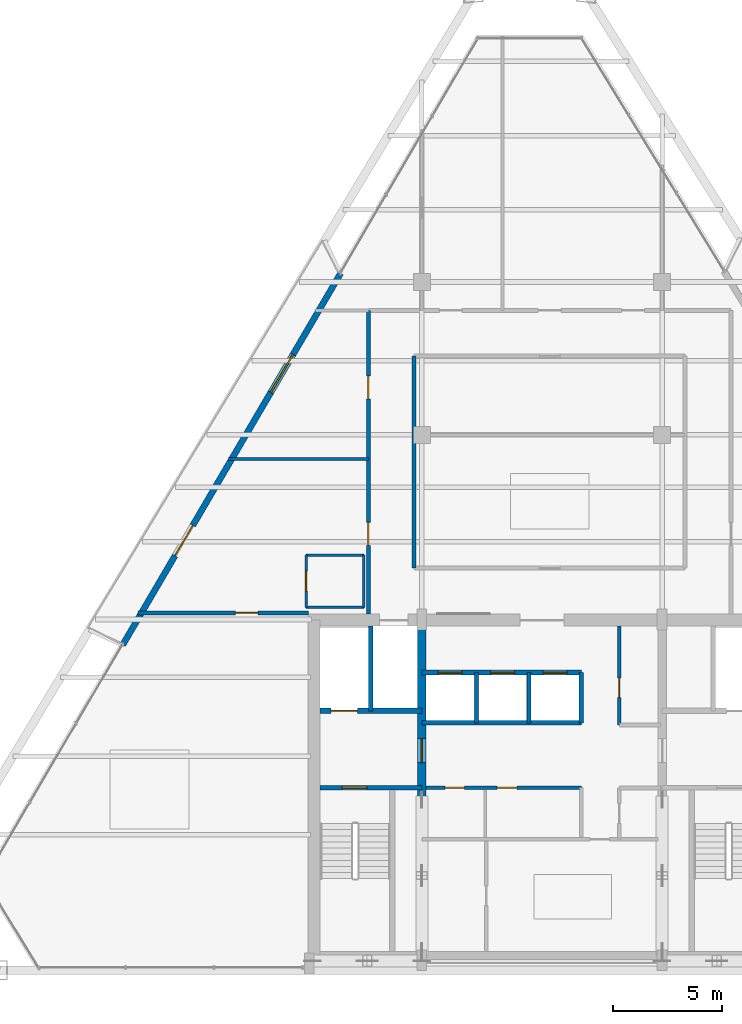
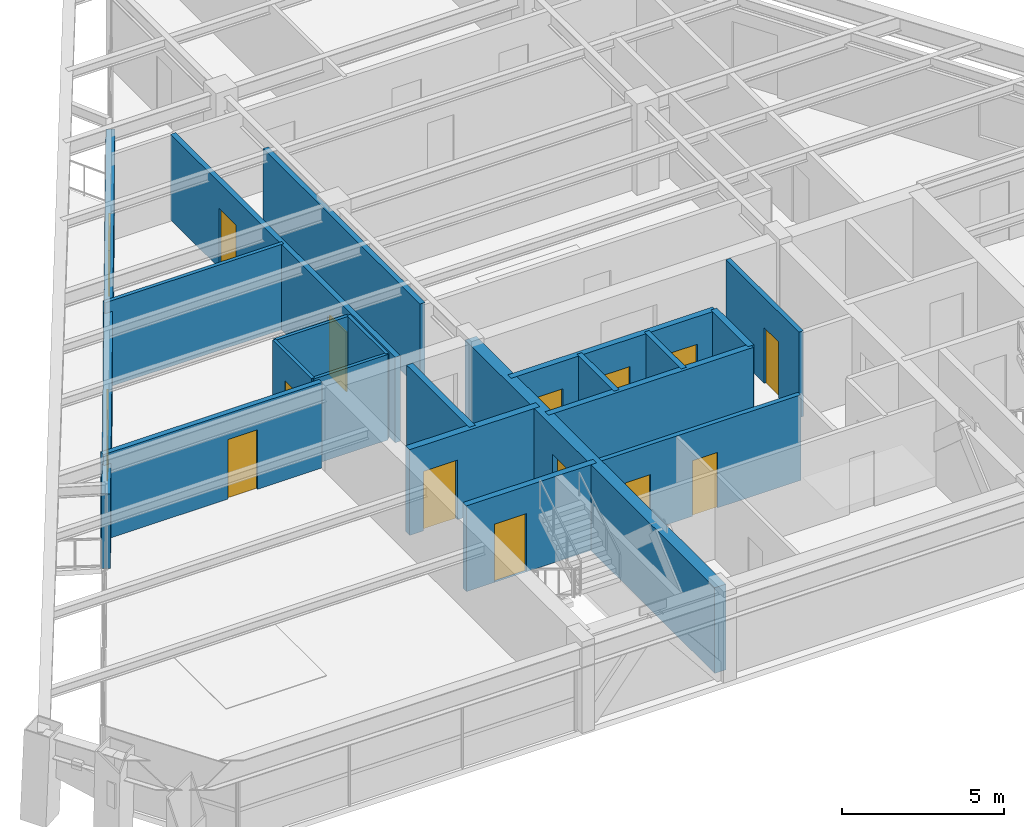
# One storey, part 9 of 13: 20 walls, 14 doors, 1 window, 15 openings.
"""IFC4 building model written with IfcOpenShell, lengths in metres."""

from ifc_helpers import new_model, si_unit, direction, frame, frame_2d, origin, place, context, subcontext, project, spatial, rectangle, extrude, source, transform, mapped, material, layer, layer_set, type_object, type_shapes, element, fill, save


model = new_model("IFC4")

# Units and contexts
model_context = context("Model", 3, precision=1e-05, world=origin(), true_north=direction((0.0, 1.0)))
body_context = subcontext(model_context, "Body", "Model", "MODEL_VIEW")
ifc_project = project(units=[si_unit("LENGTHUNIT", "METRE"), si_unit("AREAUNIT", "SQUARE_METRE"), si_unit("VOLUMEUNIT", "CUBIC_METRE"), si_unit("PLANEANGLEUNIT", "RADIAN"), si_unit("MASSUNIT", "GRAM", prefix="KILO")], contexts=[model_context])

# Site, building, storey
site_placement = place(None, origin())
site = spatial("IfcSite", under=ifc_project, at=site_placement, CompositionType="ELEMENT")
building_placement = place(site_placement, origin())
building = spatial("IfcBuilding", under=site, at=building_placement, Name="Varnakhor Terracotta Tower", CompositionType="ELEMENT")
storey_placement = place(building_placement, frame((0.0, 0.0, 247.60009765625)))
storey = spatial("IfcBuildingStorey", under=building, at=storey_placement, Name="L64", CompositionType="ELEMENT", Elevation=247.60009765625)

# Walls
ifc_material_1 = material(Name="Moisture-Resistant Tile-Backed Partition", Category="gypsum")
ifc_layer_1 = layer(ifc_material_1, 0.114990234375, Name="Moisture-Resistant Tile-Backed Partition")
ifc_layer_set_1 = layer_set([ifc_layer_1], Name="Moisture-Resistant Tile-Backed Partition")
wall_type_1 = type_object("IfcWallType", Name="WAL-BATH-115", PredefinedType="PARTITIONING", material=ifc_layer_set_1)
for number, where, z_axis, x_axis, name in (
    (1, (-10.800048828125, 16.60009765625, 0.0), (0.0, 0.0, 1.0), (1.0, 0.0, 0.0), "L64 En-Suite 1 Wall S"),
    (2, (-10.800048828125, 19.0, 0.0), (0.0, 0.0, 1.0), (1.0, 0.0, 0.0), "L64 En-Suite 1 Wall N"),
):
    element("IfcWall", number, at=place(storey_placement, frame(where, z_axis=z_axis, x_axis=x_axis)), inside=storey, type_object=wall_type_1, Name=name, PredefinedType="PARTITIONING", context=body_context, shape_type="SweptSolid", body=[
        extrude(rectangle(XDim=2.650146484375, YDim=0.114990234375, at=frame_2d((1.3251953125, 0.0))), origin(), (0.0, 0.0, 1.0), 3.23193359375),
    ])

# Wall, opening, door
wall_1_placement = place(storey_placement, frame((-10.800048828125, 16.60009765625, 0.0), z_axis=(0.0, 0.0, 1.0), x_axis=(0.0, 1.0, 0.0)))
wall_1 = element("IfcWall", 3, at=wall_1_placement, inside=storey, type_object=wall_type_1, Name="L64 En-Suite 1 Wall W", PredefinedType="PARTITIONING", context=body_context, shape_type="SweptSolid", body=[
    extrude(rectangle(XDim=2.39990234375, YDim=0.114990234375, at=frame_2d((1.199951171875, 0.0))), origin(), (0.0, 0.0, 1.0), 3.23193359375),
])
opening_1_placement = place(wall_1_placement, frame((0.75, 0.0, 0.0)))
opening_1 = element("IfcOpeningElement", 4, at=opening_1_placement, cuts=wall_1, Name="Opening DR-93", PredefinedType="OPENING", context=body_context, shape_type="SweptSolid", body=[
    extrude(rectangle(XDim=0.89990234375, YDim=2.14990234375, at=frame_2d((0.449951171875, 1.074951171875))), frame((0.0, 0.0673828125, 0.0), z_axis=(0.0, -1.0, 0.0), x_axis=(1.0, 0.0, 0.0)), (0.0, 0.0, 1.0), 0.135009765625),
])
ifc_material_2 = material(Name="Moisture-Resistant Accessible Bathroom Door", Category="wood")
door_type_1 = type_object("IfcDoorType", Name="DR-BATH-900X2150", OperationType="NOTDEFINED", PredefinedType="DOOR", material=ifc_material_2)
shared_shape_1 = source(origin(), body_context, "Body", "SweptSolid", [
    extrude(rectangle(XDim=0.89990234375, YDim=2.14990234375, at=frame_2d((0.449951171875, 1.074951171875))), frame((0.0, 0.02490234375, 0.0), z_axis=(0.0, -1.0, 0.0), x_axis=(1.0, 0.0, 0.0)), (0.0, 0.0, 1.0), 0.050048828125),
])
type_shapes(door_type_1, [shared_shape_1])
door_1_placement = place(opening_1_placement, origin())
door_1 = element("IfcDoor", 5, at=door_1_placement, inside=storey, type_object=door_type_1, Name="L64 En-Suite Bathroom 1 Door", OperationType="SINGLE_SWING_LEFT", OverallHeight=2.14990234375, OverallWidth=0.89990234375, PredefinedType="DOOR", context=body_context, shape_type="MappedRepresentation", body=[
    mapped(shared_shape_1, transform((0.0, 0.0, 0.0), scale=1.0)),
])
fill(opening_1, door_1)

# Wall
wall_2_placement = place(storey_placement, frame((-8.14990234375, 16.60009765625, 0.0), z_axis=(0.0, 0.0, 1.0), x_axis=(0.0, 1.0, 0.0)))
element("IfcWall", 6, at=wall_2_placement, inside=storey, type_object=wall_type_1, Name="L64 En-Suite 1 Wall E", PredefinedType="PARTITIONING", context=body_context, shape_type="SweptSolid", body=[
    extrude(rectangle(XDim=2.39990234375, YDim=0.114990234375, at=frame_2d((1.199951171875, 0.0))), origin(), (0.0, 0.0, 1.0), 3.23193359375),
])

# Wall, opening, door
ifc_material_3 = material(Name="Concrete C50/60", Category="concrete")
ifc_layer_2 = layer(ifc_material_3, 0.39990234375, Name="Concrete C50/60")
ifc_layer_set_2 = layer_set([ifc_layer_2], Name="Concrete C50/60")
wall_type_2 = type_object("IfcWallType", Name="WAL-CORE-WEB-400", PredefinedType="SHEAR", material=ifc_layer_set_2)
wall_3_placement = place(storey_placement, frame((-5.5, 0.574951171875, 0.0), z_axis=(0.0, 0.0, 1.0), x_axis=(0.0, 1.0, 0.0)))
wall_3 = element("IfcWall", 7, at=wall_3_placement, inside=storey, type_object=wall_type_2, Name="L64 West Core Web Shear Wall", PredefinedType="SHEAR", context=body_context, shape_type="SweptSolid", body=[
    extrude(rectangle(XDim=15.449951171875, YDim=0.39990234375, at=frame_2d((7.72509765625, 0.0))), origin(), (0.0, 0.0, 1.0), 3.239990234375),
])
opening_2_placement = place(wall_3_placement, frame((8.925048828125, 0.0, 0.0)))
opening_2 = element("IfcOpeningElement", 8, at=opening_2_placement, cuts=wall_3, Name="Opening DR-25", PredefinedType="OPENING", context=body_context, shape_type="SweptSolid", body=[
    extrude(rectangle(XDim=1.10009765625, YDim=2.199951171875, at=frame_2d((0.550048828125, 1.10009765625))), frame((0.0, 0.2099609375, 0.0), z_axis=(0.0, -1.0, 0.0), x_axis=(1.0, 0.0, 0.0)), (0.0, 0.0, 1.0), 0.419921875),
])
ifc_material_4 = material(Name="Firefighting Lobby Self-Closing Fire Door", Category="steel")
door_type_2 = type_object("IfcDoorType", Name="DR-FFL-1100X2200", OperationType="NOTDEFINED", PredefinedType="DOOR", material=ifc_material_4)
shared_shape_2 = source(origin(), body_context, "Body", "SweptSolid", [
    extrude(rectangle(XDim=1.10009765625, YDim=2.199951171875, at=frame_2d((0.550048828125, 1.10009765625))), frame((0.0, 0.02490234375, 0.0), z_axis=(0.0, -1.0, 0.0), x_axis=(1.0, 0.0, 0.0)), (0.0, 0.0, 1.0), 0.050048828125),
])
type_shapes(door_type_2, [shared_shape_2])
door_2_placement = place(opening_2_placement, origin())
door_2 = element("IfcDoor", 9, at=door_2_placement, inside=storey, type_object=door_type_2, Name="L64 West Firefighting Lobby Door", OperationType="SINGLE_SWING_RIGHT", OverallHeight=2.199951171875, OverallWidth=1.10009765625, PredefinedType="DOOR", context=body_context, shape_type="MappedRepresentation", body=[
    mapped(shared_shape_2, transform((0.0, 0.0, 0.0), scale=1.0)),
])
fill(opening_2, door_2)

# Wall
ifc_material_5 = material(Name="Fire-Rated Gypsum Stud Partition", Category="gypsum")
ifc_layer_3 = layer(ifc_material_5, 0.18505859375, Name="Fire-Rated Gypsum Stud Partition")
ifc_layer_set_3 = layer_set([ifc_layer_3], Name="Fire-Rated Gypsum Stud Partition")
wall_type_3 = type_object("IfcWallType", Name="WAL-CORR-185", PredefinedType="PARTITIONING", material=ifc_layer_set_3)
wall_4_placement = place(storey_placement, frame((-5.85009765625, 18.39990234375, 0.0), z_axis=(0.0, 0.0, 1.0), x_axis=(0.0, 1.0, 0.0)))
element("IfcWall", 10, at=wall_4_placement, inside=storey, type_object=wall_type_3, Name="L64 Ring Inner West Wall", PredefinedType="PARTITIONING", context=body_context, shape_type="SweptSolid", body=[
    extrude(rectangle(XDim=9.7001953125, YDim=0.18505859375, at=frame_2d((4.85009765625, 0.0))), origin(), (0.0, 0.0, 1.0), 3.23193359375),
])

# Wall, openings, doors
wall_5_placement = place(storey_placement, frame((-7.949951171875, 16.300048828125, 0.0), z_axis=(0.0, 0.0, 1.0), x_axis=(0.0, 1.0, 0.0)))
wall_5 = element("IfcWall", 11, at=wall_5_placement, inside=storey, type_object=wall_type_3, Name="L64 Hotel West Corridor Wall", PredefinedType="PARTITIONING", context=body_context, shape_type="SweptSolid", body=[
    extrude(rectangle(XDim=13.89990234375, YDim=0.18505859375, at=frame_2d((6.949951171875, 0.0))), origin(), (0.0, 0.0, 1.0), 3.23193359375),
])
opening_3_placement = place(wall_5_placement, frame((3.143798828125, 0.0, 0.0)))
opening_3 = element("IfcOpeningElement", 12, at=opening_3_placement, cuts=wall_5, Name="Opening DR-95", PredefinedType="OPENING", context=body_context, shape_type="SweptSolid", body=[
    extrude(rectangle(XDim=1.050048828125, YDim=2.25, at=frame_2d((0.52490234375, 1.125))), frame((0.0, 0.1025390625, 0.0), z_axis=(0.0, -1.0, 0.0), x_axis=(1.0, 0.0, 0.0)), (0.0, 0.0, 1.0), 0.205078125),
])
opening_4_placement = place(wall_5_placement, frame((9.848876953125, 0.0, 0.0)))
opening_4 = element("IfcOpeningElement", 13, at=opening_4_placement, cuts=wall_5, Name="Opening DR-95", PredefinedType="OPENING", context=body_context, shape_type="SweptSolid", body=[
    extrude(rectangle(XDim=1.050048828125, YDim=2.25, at=frame_2d((0.52490234375, 1.125))), frame((0.0, 0.1025390625, 0.0), z_axis=(0.0, -1.0, 0.0), x_axis=(1.0, 0.0, 0.0)), (0.0, 0.0, 1.0), 0.205078125),
])
ifc_material_6 = material(Name="Solid-Core Timber Tenant/Hotel Entrance Door", Category="wood")
door_type_3 = type_object("IfcDoorType", Name="DR-SUITE-1050X2250", OperationType="NOTDEFINED", PredefinedType="DOOR", material=ifc_material_6)
shared_shape_3 = source(origin(), body_context, "Body", "SweptSolid", [
    extrude(rectangle(XDim=1.050048828125, YDim=2.25, at=frame_2d((0.52490234375, 1.125))), frame((0.0, 0.02490234375, 0.0), z_axis=(0.0, -1.0, 0.0), x_axis=(1.0, 0.0, 0.0)), (0.0, 0.0, 1.0), 0.050048828125),
])
type_shapes(door_type_3, [shared_shape_3])
door_3_placement = place(opening_3_placement, origin())
door_3 = element("IfcDoor", 14, at=door_3_placement, inside=storey, type_object=door_type_3, Name="L64 West Room 1 Entry Door", OperationType="SINGLE_SWING_RIGHT", OverallHeight=2.25, OverallWidth=1.050048828125, PredefinedType="DOOR", context=body_context, shape_type="MappedRepresentation", body=[
    mapped(shared_shape_3, transform((0.0, 0.0, 0.0), scale=1.0)),
])
fill(opening_3, door_3)
door_4_placement = place(opening_4_placement, origin())
door_4 = element("IfcDoor", 15, at=door_4_placement, inside=storey, type_object=door_type_3, Name="L64 West Room 2 Entry Door", OperationType="SINGLE_SWING_RIGHT", OverallHeight=2.25, OverallWidth=1.050048828125, PredefinedType="DOOR", context=body_context, shape_type="MappedRepresentation", body=[
    mapped(shared_shape_3, transform((0.0, 0.0, 0.0), scale=1.0)),
])
fill(opening_4, door_4)

# Wall, opening, door
wall_6_placement = place(storey_placement, frame((-18.481689453125, 16.35009765625, 0.0), z_axis=(0.0, 0.0, 1.0), x_axis=(1.0, 0.0, 0.0)))
wall_6 = element("IfcWall", 16, at=wall_6_placement, inside=storey, type_object=wall_type_3, Name="L64 South West Guest Entry Wall", PredefinedType="PARTITIONING", context=body_context, shape_type="SweptSolid", body=[
    extrude(rectangle(XDim=7.8017578125, YDim=0.18505859375, at=frame_2d((3.90087890625, 0.0))), origin(), (0.0, 0.0, 1.0), 3.23193359375),
])
opening_5_placement = place(wall_6_placement, frame((4.444091796875, 0.0, 0.0)))
opening_5 = element("IfcOpeningElement", 17, at=opening_5_placement, cuts=wall_6, Name="Opening DR-95", PredefinedType="OPENING", context=body_context, shape_type="SweptSolid", body=[
    extrude(rectangle(XDim=1.050048828125, YDim=2.25, at=frame_2d((0.52490234375, 1.125))), frame((0.0, 0.1025390625, 0.0), z_axis=(0.0, -1.0, 0.0), x_axis=(1.0, 0.0, 0.0)), (0.0, 0.0, 1.0), 0.205078125),
])
door_5_placement = place(opening_5_placement, origin())
door_5 = element("IfcDoor", 18, at=door_5_placement, inside=storey, type_object=door_type_3, Name="L64 SW Suite Entry Door", OperationType="SINGLE_SWING_LEFT", OverallHeight=2.25, OverallWidth=1.050048828125, PredefinedType="DOOR", context=body_context, shape_type="MappedRepresentation", body=[
    mapped(shared_shape_3, transform((0.0, 0.0, 0.0), scale=1.0)),
])
fill(opening_5, door_5)

# Wall, openings, door, window
ifc_material_7 = material(Name="Extruded Architectural Terracotta Assembly", Category="masonry")
ifc_layer_4 = layer(ifc_material_7, 0.280029296875, Name="Extruded Architectural Terracotta Assembly")
ifc_layer_set_4 = layer_set([ifc_layer_4], Name="Extruded Architectural Terracotta Assembly")
wall_type_4 = type_object("IfcWallType", Name="WAL-EXT-TERRACOTTA-280", PredefinedType="SOLIDWALL", material=ifc_layer_set_4)
wall_7_placement = place(storey_placement, frame((-19.184326171875, 14.89501953125, 0.0), z_axis=(0.0, 0.0, 1.0), x_axis=(0.505884551296, 0.862601194504, 0.0)))
wall_7 = element("IfcWall", 19, at=wall_7_placement, inside=storey, type_object=wall_type_4, Name="L64 W Loggia Insulated Terracotta Wall", PredefinedType="SOLIDWALL", context=body_context, shape_type="SweptSolid", body=[
    extrude(rectangle(XDim=19.70068359375, YDim=0.280029296875, at=frame_2d((9.850341796875, 0.0))), origin(), (0.0, 0.0, 1.0), 2.81982421875),
])
opening_6_placement = place(wall_7_placement, frame((4.728271484375, 0.0, 0.0)))
opening_6 = element("IfcOpeningElement", 20, at=opening_6_placement, cuts=wall_7, Name="Opening DR-62", PredefinedType="OPENING", context=body_context, shape_type="SweptSolid", body=[
    extrude(rectangle(XDim=1.60009765625, YDim=2.35009765625, at=frame_2d((0.800048828125, 1.175048828125))), frame((0.0, 0.14990234375, 0.0), z_axis=(0.0, -1.0, 0.0), x_axis=(1.0, 0.0, 0.0)), (0.0, 0.0, 1.0), 0.300048828125),
])
opening_7_placement = place(wall_7_placement, frame((13.396484375, 0.0, 0.89990234375)))
opening_7 = element("IfcOpeningElement", 21, at=opening_7_placement, cuts=wall_7, Name="Opening WN-63", PredefinedType="OPENING", context=body_context, shape_type="SweptSolid", body=[
    extrude(rectangle(XDim=2.0, YDim=1.75, at=frame_2d((1.0, 0.875))), frame((0.0, 0.14990234375, 0.0), z_axis=(0.0, -1.0, 0.0), x_axis=(1.0, 0.0, 0.0)), (0.0, 0.0, 1.0), 0.300048828125),
])
ifc_material_8 = material(Name="Thermally Broken Sliding Glass Loggia Door", Category="glass")
door_type_4 = type_object("IfcDoorType", Name="DR-EXT-LOGGIA-1600X2350", OperationType="NOTDEFINED", PredefinedType="DOOR", material=ifc_material_8)
shared_shape_4 = source(origin(), body_context, "Body", "SweptSolid", [
    extrude(rectangle(XDim=1.60009765625, YDim=2.35009765625, at=frame_2d((0.800048828125, 1.175048828125))), frame((0.0, 0.02490234375, 0.0), z_axis=(0.0, -1.0, 0.0), x_axis=(1.0, 0.0, 0.0)), (0.0, 0.0, 1.0), 0.050048828125),
])
type_shapes(door_type_4, [shared_shape_4])
door_6_placement = place(opening_6_placement, origin())
door_6 = element("IfcDoor", 22, at=door_6_placement, inside=storey, type_object=door_type_4, Name="L64 W Recessed Loggia Sliding Door", OperationType="SLIDING_TO_LEFT", OverallHeight=2.35009765625, OverallWidth=1.60009765625, PredefinedType="DOOR", context=body_context, shape_type="MappedRepresentation", body=[
    mapped(shared_shape_4, transform((0.0, 0.0, 0.0), scale=1.0)),
])
fill(opening_6, door_6)
ifc_material_9 = material(Name="Solar-Control Low-E Insulated Glass Unit", Category="glass")
window_type = type_object("IfcWindowType", Name="WIN-HTL-2000X1950", PartitioningType="SINGLE_PANEL", PredefinedType="WINDOW", material=ifc_material_9)
shared_shape_5 = source(origin(), body_context, "Body", "SweptSolid", [
    extrude(rectangle(XDim=2.0, YDim=1.75, at=frame_2d((1.0, 0.875))), frame((0.0, 0.030029296875, 0.0), z_axis=(0.0, -1.0, 0.0), x_axis=(1.0, 0.0, 0.0)), (0.0, 0.0, 1.0), 0.06005859375),
])
type_shapes(window_type, [shared_shape_5])
window_placement = place(opening_7_placement, origin())
window = element("IfcWindow", 23, at=window_placement, inside=storey, type_object=window_type, Name="L64 W Facet Punched Window", OverallHeight=1.75, OverallWidth=2.0, PartitioningType="SINGLE_PANEL", PredefinedType="WINDOW", context=body_context, shape_type="MappedRepresentation", body=[
    mapped(shared_shape_5, transform((0.0, 0.0, 0.0), scale=1.0)),
])
fill(opening_7, window)

# Wall, opening, door
ifc_material_10 = material(Name="Concrete C40/50", Category="concrete")
ifc_layer_5 = layer(ifc_material_10, 0.219970703125, Name="Concrete C40/50")
ifc_layer_set_5 = layer_set([ifc_layer_5], Name="Concrete C40/50")
wall_type_5 = type_object("IfcWallType", Name="WAL-FFLOBBY-220", PredefinedType="SOLIDWALL", material=ifc_layer_set_5)
wall_8_placement = place(storey_placement, frame((-5.5, 8.35009765625, 0.0), z_axis=(0.0, 0.0, 1.0), x_axis=(-1.0, 0.0, 0.0)))
wall_8 = element("IfcWall", 24, at=wall_8_placement, inside=storey, type_object=wall_type_5, Name="L64 West Firefighting Lobby Stair Wall", PredefinedType="SOLIDWALL", context=body_context, shape_type="SweptSolid", body=[
    extrude(rectangle(XDim=4.64990234375, YDim=0.219970703125, at=frame_2d((2.324951171875, 0.0))), origin(), (0.0, 0.0, 1.0), 3.239990234375),
])
opening_8_placement = place(wall_8_placement, frame((2.5, 0.0, 0.0)))
opening_8 = element("IfcOpeningElement", 25, at=opening_8_placement, cuts=wall_8, Name="Opening DR-34", PredefinedType="OPENING", context=body_context, shape_type="SweptSolid", body=[
    extrude(rectangle(XDim=1.14990234375, YDim=2.199951171875, at=frame_2d((0.574951171875, 1.10009765625))), frame((0.0, 0.1201171875, 0.0), z_axis=(0.0, -1.0, 0.0), x_axis=(1.0, 0.0, 0.0)), (0.0, 0.0, 1.0), 0.239990234375),
])
ifc_material_11 = material(Name="Self-Closing Smoke-Sealed Steel Fire Door", Category="steel")
door_type_5 = type_object("IfcDoorType", Name="DR-STAIR-1150X2200", OperationType="NOTDEFINED", PredefinedType="DOOR", material=ifc_material_11)
shared_shape_6 = source(origin(), body_context, "Body", "SweptSolid", [
    extrude(rectangle(XDim=1.14990234375, YDim=2.199951171875, at=frame_2d((0.574951171875, 1.10009765625))), frame((0.0, 0.02490234375, 0.0), z_axis=(0.0, -1.0, 0.0), x_axis=(1.0, 0.0, 0.0)), (0.0, 0.0, 1.0), 0.050048828125),
])
type_shapes(door_type_5, [shared_shape_6])
door_7_placement = place(opening_8_placement, origin())
door_7 = element("IfcDoor", 26, at=door_7_placement, inside=storey, type_object=door_type_5, Name="L64 Exit Stair ST-1 Fire Door", OperationType="SINGLE_SWING_LEFT", OverallHeight=2.199951171875, OverallWidth=1.14990234375, PredefinedType="DOOR", context=body_context, shape_type="MappedRepresentation", body=[
    mapped(shared_shape_6, transform((0.0, 0.0, 0.0), scale=1.0)),
])
fill(opening_8, door_7)

# Walls
ifc_material_12 = material(Name="Acoustic Hotel Room Partition", Category="gypsum")
ifc_layer_6 = layer(ifc_material_12, 0.1298828125, Name="Acoustic Hotel Room Partition")
ifc_layer_set_6 = layer_set([ifc_layer_6], Name="Acoustic Hotel Room Partition")
wall_type_6 = type_object("IfcWallType", Name="WAL-PART-130", PredefinedType="PARTITIONING", material=ifc_layer_set_6)
wall_9_placement = place(storey_placement, frame((-14.34716796875, 23.39990234375, 0.0), z_axis=(0.0, 0.0, 1.0), x_axis=(1.0, 0.0, 0.0)))
element("IfcWall", 27, at=wall_9_placement, inside=storey, type_object=wall_type_6, Name="L64 West Key Cut 1", PredefinedType="PARTITIONING", context=body_context, shape_type="SweptSolid", body=[
    extrude(rectangle(XDim=6.397216796875, YDim=0.1298828125, at=frame_2d((3.19873046875, 0.0))), origin(), (0.0, 0.0, 1.0), 3.23193359375),
])
ifc_layer_7 = layer(ifc_material_10, 0.179931640625, Name="Concrete C40/50")
ifc_layer_set_7 = layer_set([ifc_layer_7], Name="Concrete C40/50")
wall_type_7 = type_object("IfcWallType", Name="WAL-SHAFT-180", PredefinedType="SOLIDWALL", material=ifc_layer_set_7)
for number, where, z_axis, x_axis, name in (
    (28, (-3.0, 11.320068359375, 0.0), (0.0, 0.0, 1.0), (0.0, 1.0, 0.0), "L64 PL-3A Divider"),
    (29, (-0.60009765625, 11.320068359375, 0.0), (0.0, 0.0, 1.0), (0.0, 1.0, 0.0), "L64 PL-3B Divider"),
):
    element("IfcWall", number, at=place(storey_placement, frame(where, z_axis=z_axis, x_axis=x_axis)), inside=storey, type_object=wall_type_7, Name=name, PredefinedType="SOLIDWALL", context=body_context, shape_type="SweptSolid", body=[
        extrude(rectangle(XDim=2.300048828125, YDim=0.179931640625, at=frame_2d((1.14990234375, 0.0))), origin(), (0.0, 0.0, 1.0), 3.239990234375),
    ])
ifc_layer_8 = layer(ifc_material_10, 0.219970703125, Name="Concrete C40/50")
ifc_layer_set_8 = layer_set([ifc_layer_8], Name="Concrete C40/50")
wall_type_8 = type_object("IfcWallType", Name="WAL-SHAFT-220", PredefinedType="SOLIDWALL", material=ifc_layer_set_8)
wall_10_placement = place(storey_placement, frame((-7.840087890625, 11.8701171875, 0.0), z_axis=(0.0, 0.0, 1.0), x_axis=(0.0, 1.0, 0.0)))
element("IfcWall", 30, at=wall_10_placement, inside=storey, type_object=wall_type_8, Name="L64 Lift FFL-1 and SVL-1 Divider Wall", PredefinedType="SOLIDWALL", context=body_context, shape_type="SweptSolid", body=[
    extrude(rectangle(XDim=3.8798828125, YDim=0.219970703125, at=frame_2d((1.93994140625, 0.0))), origin(), (0.0, 0.0, 1.0), 3.239990234375),
])
wall_11_placement = place(storey_placement, frame((-5.5, 11.320068359375, 0.0), z_axis=(0.0, 0.0, 1.0), x_axis=(1.0, 0.0, 0.0)))
element("IfcWall", 31, at=wall_11_placement, inside=storey, type_object=wall_type_8, Name="L64 Bank 3 South Shaft Wall", PredefinedType="SOLIDWALL", context=body_context, shape_type="SweptSolid", body=[
    extrude(rectangle(XDim=7.320068359375, YDim=0.219970703125, at=frame_2d((3.66015625, 0.0))), origin(), (0.0, 0.0, 1.0), 3.239990234375),
])

# Wall, openings, doors
wall_12_placement = place(storey_placement, frame((-5.5, 13.6201171875, 0.0), z_axis=(0.0, 0.0, 1.0), x_axis=(1.0, 0.0, 0.0)))
wall_12 = element("IfcWall", 32, at=wall_12_placement, inside=storey, type_object=wall_type_8, Name="L64 Bank 3 North Shaft Wall", PredefinedType="SOLIDWALL", context=body_context, shape_type="SweptSolid", body=[
    extrude(rectangle(XDim=7.320068359375, YDim=0.219970703125, at=frame_2d((3.66015625, 0.0))), origin(), (0.0, 0.0, 1.0), 3.239990234375),
])
opening_9_placement = place(wall_12_placement, frame((0.75, 0.0, 0.0)))
opening_9 = element("IfcOpeningElement", 33, at=opening_9_placement, cuts=wall_12, Name="Opening LD-01", PredefinedType="OPENING", context=body_context, shape_type="SweptSolid", body=[
    extrude(rectangle(XDim=1.10009765625, YDim=2.199951171875, at=frame_2d((0.550048828125, 1.10009765625))), frame((0.0, 0.1201171875, 0.0), z_axis=(0.0, -1.0, 0.0), x_axis=(1.0, 0.0, 0.0)), (0.0, 0.0, 1.0), 0.239990234375),
])
opening_10_placement = place(wall_12_placement, frame((3.14990234375, 0.0, 0.0)))
opening_10 = element("IfcOpeningElement", 34, at=opening_10_placement, cuts=wall_12, Name="Opening LD-01", PredefinedType="OPENING", context=body_context, shape_type="SweptSolid", body=[
    extrude(rectangle(XDim=1.10009765625, YDim=2.199951171875, at=frame_2d((0.550048828125, 1.10009765625))), frame((0.0, 0.1201171875, 0.0), z_axis=(0.0, -1.0, 0.0), x_axis=(1.0, 0.0, 0.0)), (0.0, 0.0, 1.0), 0.239990234375),
])
opening_11_placement = place(wall_12_placement, frame((5.550048828125, 0.0, 0.0)))
opening_11 = element("IfcOpeningElement", 35, at=opening_11_placement, cuts=wall_12, Name="Opening LD-01", PredefinedType="OPENING", context=body_context, shape_type="SweptSolid", body=[
    extrude(rectangle(XDim=1.10009765625, YDim=2.199951171875, at=frame_2d((0.550048828125, 1.10009765625))), frame((0.0, 0.1201171875, 0.0), z_axis=(0.0, -1.0, 0.0), x_axis=(1.0, 0.0, 0.0)), (0.0, 0.0, 1.0), 0.239990234375),
])
ifc_material_13 = material(Name="Brushed Stainless Steel Sliding Lift Landing Door", Category="steel")
door_type_6 = type_object("IfcDoorType", Name="LD-PASS-1100X2200", OperationType="NOTDEFINED", PredefinedType="DOOR", material=ifc_material_13)
shared_shape_7 = source(origin(), body_context, "Body", "SweptSolid", [
    extrude(rectangle(XDim=1.10009765625, YDim=2.199951171875, at=frame_2d((0.550048828125, 1.10009765625))), frame((0.0, 0.02490234375, 0.0), z_axis=(0.0, -1.0, 0.0), x_axis=(1.0, 0.0, 0.0)), (0.0, 0.0, 1.0), 0.050048828125),
])
type_shapes(door_type_6, [shared_shape_7])
door_8_placement = place(opening_9_placement, origin())
door_8 = element("IfcDoor", 36, at=door_8_placement, inside=storey, type_object=door_type_6, Name="L64 Passenger Lift PL-3A Landing Door", OperationType="SLIDING_TO_RIGHT", OverallHeight=2.199951171875, OverallWidth=1.10009765625, PredefinedType="DOOR", context=body_context, shape_type="MappedRepresentation", body=[
    mapped(shared_shape_7, transform((0.0, 0.0, 0.0), scale=1.0)),
])
fill(opening_9, door_8)
door_9_placement = place(opening_10_placement, origin())
door_9 = element("IfcDoor", 37, at=door_9_placement, inside=storey, type_object=door_type_6, Name="L64 Passenger Lift PL-3B Landing Door", OperationType="SLIDING_TO_RIGHT", OverallHeight=2.199951171875, OverallWidth=1.10009765625, PredefinedType="DOOR", context=body_context, shape_type="MappedRepresentation", body=[
    mapped(shared_shape_7, transform((0.0, 0.0, 0.0), scale=1.0)),
])
fill(opening_10, door_9)
door_10_placement = place(opening_11_placement, origin())
door_10 = element("IfcDoor", 38, at=door_10_placement, inside=storey, type_object=door_type_6, Name="L64 Passenger Lift PL-3C Landing Door", OperationType="SLIDING_TO_RIGHT", OverallHeight=2.199951171875, OverallWidth=1.10009765625, PredefinedType="DOOR", context=body_context, shape_type="MappedRepresentation", body=[
    mapped(shared_shape_7, transform((0.0, 0.0, 0.0), scale=1.0)),
])
fill(opening_11, door_10)

# Wall
wall_13_placement = place(storey_placement, frame((1.800048828125, 11.320068359375, 0.0), z_axis=(0.0, 0.0, 1.0), x_axis=(0.0, 1.0, 0.0)))
element("IfcWall", 39, at=wall_13_placement, inside=storey, type_object=wall_type_8, Name="L64 Bank 3 East Shaft Wall", PredefinedType="SOLIDWALL", context=body_context, shape_type="SweptSolid", body=[
    extrude(rectangle(XDim=2.300048828125, YDim=0.219970703125, at=frame_2d((1.14990234375, 0.0))), origin(), (0.0, 0.0, 1.0), 3.239990234375),
])

# Wall, opening, door
ifc_layer_9 = layer(ifc_material_10, 0.25, Name="Concrete C40/50")
ifc_layer_set_9 = layer_set([ifc_layer_9], Name="Concrete C40/50")
wall_type_9 = type_object("IfcWallType", Name="WAL-SHAFT-250", PredefinedType="SOLIDWALL", material=ifc_layer_set_9)
wall_14_placement = place(storey_placement, frame((-5.5, 11.8701171875, 0.0), z_axis=(0.0, 0.0, 1.0), x_axis=(-1.0, 0.0, 0.0)))
wall_14 = element("IfcWall", 40, at=wall_14_placement, inside=storey, type_object=wall_type_9, Name="L64 Lift FFL-1 Shaft Front Wall", PredefinedType="SOLIDWALL", context=body_context, shape_type="SweptSolid", body=[
    extrude(rectangle(XDim=4.64990234375, YDim=0.25, at=frame_2d((2.324951171875, 0.0))), origin(), (0.0, 0.0, 1.0), 3.239990234375),
])
opening_12_placement = place(wall_14_placement, frame((2.949951171875, 0.0, 0.0)))
opening_12 = element("IfcOpeningElement", 41, at=opening_12_placement, cuts=wall_14, Name="Opening LD-02", PredefinedType="OPENING", context=body_context, shape_type="SweptSolid", body=[
    extrude(rectangle(XDim=1.199951171875, YDim=2.25, at=frame_2d((0.60009765625, 1.125))), frame((0.0, 0.135009765625, 0.0), z_axis=(0.0, -1.0, 0.0), x_axis=(1.0, 0.0, 0.0)), (0.0, 0.0, 1.0), 0.27001953125),
])
ifc_material_14 = material(Name="Firefighting Stretcher Sliding Lift Landing Door", Category="steel")
door_type_7 = type_object("IfcDoorType", Name="LD-FFL-1200X2250", OperationType="NOTDEFINED", PredefinedType="DOOR", material=ifc_material_14)
shared_shape_8 = source(origin(), body_context, "Body", "SweptSolid", [
    extrude(rectangle(XDim=1.199951171875, YDim=2.25, at=frame_2d((0.60009765625, 1.125))), frame((0.0, 0.02490234375, 0.0), z_axis=(0.0, -1.0, 0.0), x_axis=(1.0, 0.0, 0.0)), (0.0, 0.0, 1.0), 0.050048828125),
])
type_shapes(door_type_7, [shared_shape_8])
door_11_placement = place(opening_12_placement, origin())
door_11 = element("IfcDoor", 42, at=door_11_placement, inside=storey, type_object=door_type_7, Name="L64 Firefighting Lift FFL-1 Landing Door", OperationType="SLIDING_TO_LEFT", OverallHeight=2.25, OverallWidth=1.199951171875, PredefinedType="DOOR", context=body_context, shape_type="MappedRepresentation", body=[
    mapped(shared_shape_8, transform((0.0, 0.0, 0.0), scale=1.0)),
])
fill(opening_12, door_11)

# Wall, openings, doors
ifc_material_15 = material(Name="Acoustic Fire-Rated Partition", Category="gypsum")
ifc_layer_10 = layer(ifc_material_15, 0.1650390625, Name="Acoustic Fire-Rated Partition")
ifc_layer_set_10 = layer_set([ifc_layer_10], Name="Acoustic Fire-Rated Partition")
wall_type_10 = type_object("IfcWallType", Name="WAL-TENANCY-165", PredefinedType="PARTITIONING", material=ifc_layer_set_10)
wall_15_placement = place(storey_placement, frame((-5.300048828125, 8.35009765625, 0.0), z_axis=(0.0, 0.0, 1.0), x_axis=(1.0, 0.0, 0.0)))
wall_15 = element("IfcWall", 43, at=wall_15_placement, inside=storey, type_object=wall_type_10, Name="L64 Reclaimed Mid-Core North Wall", PredefinedType="PARTITIONING", context=body_context, shape_type="SweptSolid", body=[
    extrude(rectangle(XDim=7.1201171875, YDim=0.1650390625, at=frame_2d((3.56005859375, 0.0))), origin(), (0.0, 0.0, 1.0), 3.23193359375),
])
opening_13_placement = place(wall_15_placement, frame((0.85009765625, 0.0, 0.0)))
opening_13 = element("IfcOpeningElement", 44, at=opening_13_placement, cuts=wall_15, Name="Opening DR-67", PredefinedType="OPENING", context=body_context, shape_type="SweptSolid", body=[
    extrude(rectangle(XDim=0.89990234375, YDim=2.10009765625, at=frame_2d((0.449951171875, 1.050048828125))), frame((0.0, 0.092529296875, 0.0), z_axis=(0.0, -1.0, 0.0), x_axis=(1.0, 0.0, 0.0)), (0.0, 0.0, 1.0), 0.18505859375),
])
opening_14_placement = place(wall_15_placement, frame((3.25, 0.0, 0.0)))
opening_14 = element("IfcOpeningElement", 45, at=opening_14_placement, cuts=wall_15, Name="Opening DR-67", PredefinedType="OPENING", context=body_context, shape_type="SweptSolid", body=[
    extrude(rectangle(XDim=0.89990234375, YDim=2.10009765625, at=frame_2d((0.449951171875, 1.050048828125))), frame((0.0, 0.092529296875, 0.0), z_axis=(0.0, -1.0, 0.0), x_axis=(1.0, 0.0, 0.0)), (0.0, 0.0, 1.0), 0.18505859375),
])
ifc_material_16 = material(Name="Steel Service Riser Fire Door", Category="steel")
door_type_8 = type_object("IfcDoorType", Name="DR-RISER-900X2100", OperationType="NOTDEFINED", PredefinedType="DOOR", material=ifc_material_16)
shared_shape_9 = source(origin(), body_context, "Body", "SweptSolid", [
    extrude(rectangle(XDim=0.89990234375, YDim=2.10009765625, at=frame_2d((0.449951171875, 1.050048828125))), frame((0.0, 0.02490234375, 0.0), z_axis=(0.0, -1.0, 0.0), x_axis=(1.0, 0.0, 0.0)), (0.0, 0.0, 1.0), 0.050048828125),
])
type_shapes(door_type_8, [shared_shape_9])
door_12_placement = place(opening_13_placement, origin())
door_12 = element("IfcDoor", 46, at=door_12_placement, inside=storey, type_object=door_type_8, Name="L64 Core West Restroom Door", OperationType="SINGLE_SWING_RIGHT", OverallHeight=2.10009765625, OverallWidth=0.89990234375, PredefinedType="DOOR", context=body_context, shape_type="MappedRepresentation", body=[
    mapped(shared_shape_9, transform((0.0, 0.0, 0.0), scale=1.0)),
])
fill(opening_13, door_12)
door_13_placement = place(opening_14_placement, origin())
door_13 = element("IfcDoor", 47, at=door_13_placement, inside=storey, type_object=door_type_8, Name="L64 Core East Restroom Door", OperationType="SINGLE_SWING_LEFT", OverallHeight=2.10009765625, OverallWidth=0.89990234375, PredefinedType="DOOR", context=body_context, shape_type="MappedRepresentation", body=[
    mapped(shared_shape_9, transform((0.0, 0.0, 0.0), scale=1.0)),
])
fill(opening_14, door_13)

# Wall, opening, door
wall_16_placement = place(storey_placement, frame((3.5400390625, 11.219970703125, 0.0), z_axis=(0.0, 0.0, 1.0), x_axis=(0.0, 1.0, 0.0)))
wall_16 = element("IfcWall", 48, at=wall_16_placement, inside=storey, type_object=wall_type_10, Name="L64 Restroom Corridor Wall", PredefinedType="PARTITIONING", context=body_context, shape_type="SweptSolid", body=[
    extrude(rectangle(XDim=4.530029296875, YDim=0.1650390625, at=frame_2d((2.26513671875, 0.0))), origin(), (0.0, 0.0, 1.0), 3.23193359375),
])
opening_15_placement = place(wall_16_placement, frame((1.25, 0.0, 0.0)))
opening_15 = element("IfcOpeningElement", 49, at=opening_15_placement, cuts=wall_16, Name="Opening DR-67", PredefinedType="OPENING", context=body_context, shape_type="SweptSolid", body=[
    extrude(rectangle(XDim=0.89990234375, YDim=2.10009765625, at=frame_2d((0.449951171875, 1.050048828125))), frame((0.0, 0.092529296875, 0.0), z_axis=(0.0, -1.0, 0.0), x_axis=(1.0, 0.0, 0.0)), (0.0, 0.0, 1.0), 0.18505859375),
])
door_14_placement = place(opening_15_placement, origin())
door_14 = element("IfcDoor", 50, at=door_14_placement, inside=storey, type_object=door_type_8, Name="L64 Female WC Door", OperationType="SINGLE_SWING_RIGHT", OverallHeight=2.10009765625, OverallWidth=0.89990234375, PredefinedType="DOOR", context=body_context, shape_type="MappedRepresentation", body=[
    mapped(shared_shape_9, transform((0.0, 0.0, 0.0), scale=1.0)),
])
fill(opening_15, door_14)

save(model, "model.ifc")
